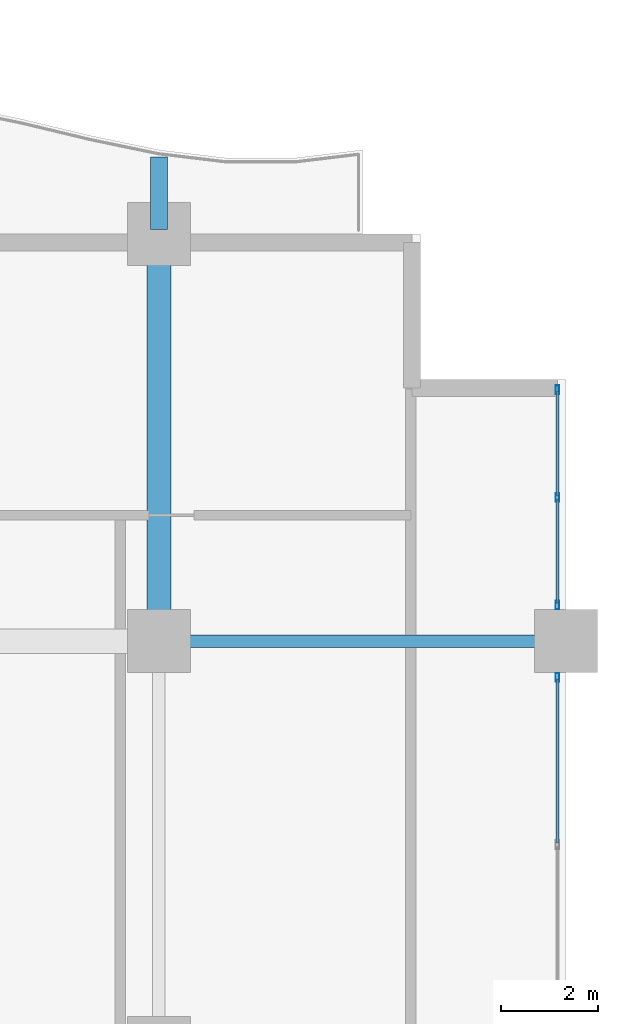
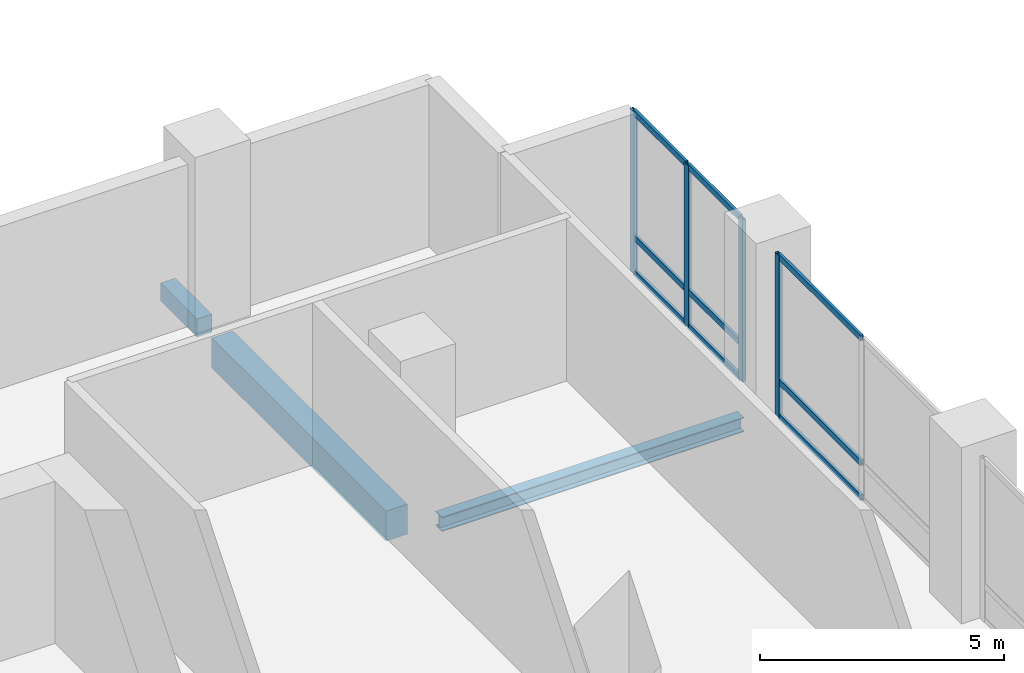
# One storey, part 6 of 24: 13 members, 3 beams, 2 elements without a shape of their own.
"""IFC4 building model written with IfcOpenShell, lengths in metres."""

import ifcopenshell
import ifcopenshell.guid

model = None  # the IFC model being written
_history = None  # IfcOwnerHistory: only IFC2X3 demands one
_inside = {}  # id of a spatial element -> (the spatial element, [elements in it])
_under = {}  # id of a project, library or spatial element -> (it, [spatial elements below it])
_declared = {}  # id of a project -> (the project, [libraries it declares])
_typed = {}  # id of a type object -> (the type object, [elements of that type])
_made_of = {}  # id of a material, layer set ... -> (it, [elements and type objects made of it])


def new_model(schema):
    """Start an empty IFC model of exactly this schema.

    Asked for "IFC4X3", IfcOpenShell would pick the latest addendum, in which some entities
    have other attributes; the version numbers below select the first issue.
    IFC2X3 requires an IfcOwnerHistory on every rooted entity: one is made here for all.
    """
    global model, _history
    if schema == "IFC4X3":
        model = ifcopenshell.file(schema_version=(4, 3, 0, 0))
    else:
        model = ifcopenshell.file(schema=schema)
    _inside.clear()
    _under.clear()
    _declared.clear()
    _typed.clear()
    _made_of.clear()
    _history = None
    if model.schema == "IFC2X3":
        org = make("IfcOrganization", Name="unknown")
        user = make(
            "IfcPersonAndOrganization",
            ThePerson=make("IfcPerson", FamilyName="unknown"),
            TheOrganization=org,
        )
        app = make(
            "IfcApplication",
            ApplicationDeveloper=org,
            Version="unknown",
            ApplicationFullName="unknown",
            ApplicationIdentifier="unknown",
        )
        _history = make(
            "IfcOwnerHistory",
            OwningUser=user,
            OwningApplication=app,
            ChangeAction="ADDED",
            CreationDate=0,
        )
    return model


def make(cls, **values):
    """One entity of the class cls with the attributes given. An attribute that is None is left unset."""
    return model.create_entity(
        cls, **{name: value for name, value in values.items() if value is not None}
    )


def rooted(cls, **values):
    """An entity with a GlobalId (a new one), such as an element, a storey or a relation."""
    return make(cls, GlobalId=ifcopenshell.guid.new(), OwnerHistory=_history, **values)


def si_unit(unit_type, name, prefix=None):
    """IfcSIUnit, for example si_unit("LENGTHUNIT", "METRE", prefix="MILLI")."""
    return make("IfcSIUnit", UnitType=unit_type, Prefix=prefix, Name=name)


def assignment(units):
    """IfcUnitAssignment: the units of a project."""
    return None if units is None else make("IfcUnitAssignment", Units=units)


def point(xyz):
    """IfcCartesianPoint."""
    return None if xyz is None else make("IfcCartesianPoint", Coordinates=xyz)


def direction(xyz):
    """IfcDirection."""
    return None if xyz is None else make("IfcDirection", DirectionRatios=xyz)


def frame(location, z_axis=None, x_axis=None):
    """IfcAxis2Placement3D, a coordinate frame: its origin and axes. An axis left out is left unset."""
    return make(
        "IfcAxis2Placement3D",
        Location=point(location),
        Axis=direction(z_axis),
        RefDirection=direction(x_axis),
    )


def frame_2d(location, x_axis=None):
    """IfcAxis2Placement2D, a coordinate frame in the plane: its origin and x axis."""
    return make(
        "IfcAxis2Placement2D", Location=point(location), RefDirection=direction(x_axis)
    )


def origin():
    """The frame at (0, 0, 0) with its axes left unset."""
    return frame((0.0, 0.0, 0.0))


def origin_2d():
    """The frame at (0, 0) in the plane with its x axis left unset."""
    return frame_2d((0.0, 0.0))


def place(relative_to, where):
    """IfcLocalPlacement: puts the frame where relative to a parent placement (None: the world)."""
    return make(
        "IfcLocalPlacement", PlacementRelTo=relative_to, RelativePlacement=where
    )


def context(
    kind, dimensions, precision=None, world=None, true_north=None, identifier=None
):
    """IfcGeometricRepresentationContext, for example the 3D "Model" context."""
    return make(
        "IfcGeometricRepresentationContext",
        ContextIdentifier=identifier,
        ContextType=kind,
        CoordinateSpaceDimension=dimensions,
        Precision=precision,
        WorldCoordinateSystem=world,
        TrueNorth=true_north,
    )


def subcontext(parent, identifier, kind, view, scale=None):
    """IfcGeometricRepresentationSubContext, for example "Body" below "Model"."""
    return make(
        "IfcGeometricRepresentationSubContext",
        ContextIdentifier=identifier,
        ContextType=kind,
        ParentContext=parent,
        TargetScale=scale,
        TargetView=view,
    )


def project(units=None, contexts=None):
    """IfcProject with its units and contexts."""
    return rooted(
        "IfcProject",
        Name="project",
        RepresentationContexts=contexts,
        UnitsInContext=assignment(units),
    )


def spatial(cls, under=None, at=None, **own):
    """A site, building, storey or space (cls), placed at a placement, below another one or the project."""
    s = rooted(cls, ObjectPlacement=at, **own)
    if under is not None:
        _under.setdefault(under.id(), (under, []))[1].append(s)
    return s


def profile(cls, at=None, kind="AREA", **sizes):
    """A parametric profile (cls). Its sizes go by their IFC names, for example OverallWidth=200.0."""
    return make(cls, ProfileType=kind, Position=at, **sizes)


def rectangle(**sizes):
    """IfcRectangleProfileDef."""
    return profile("IfcRectangleProfileDef", **sizes)


def hollow_rectangle(**sizes):
    """IfcRectangleHollowProfileDef."""
    return profile("IfcRectangleHollowProfileDef", **sizes)


def i_section(**sizes):
    """IfcIShapeProfileDef."""
    return profile("IfcIShapeProfileDef", **sizes)


def extrude(swept, where, along, depth):
    """IfcExtrudedAreaSolid: the profile swept, set in the frame where, extruded along a direction by depth."""
    return make(
        "IfcExtrudedAreaSolid",
        SweptArea=swept,
        Position=where,
        ExtrudedDirection=direction(along),
        Depth=depth,
    )


def shape(context_of_items, identifier, shape_type, items):
    """IfcShapeRepresentation: the items that make up one representation, for example the "Body"."""
    return make(
        "IfcShapeRepresentation",
        ContextOfItems=context_of_items,
        RepresentationIdentifier=identifier,
        RepresentationType=shape_type,
        Items=items,
    )


def material(Name=None, Category=None):
    """IfcMaterial."""
    return make("IfcMaterial", Name=Name, Category=Category)


def layer(
    of_material, thickness, ventilated=None, Name=None, Category=None, Priority=None
):
    """IfcMaterialLayer: one layer of a wall or slab, of a material (None: an air gap)."""
    return make(
        "IfcMaterialLayer",
        Material=of_material,
        LayerThickness=thickness,
        IsVentilated=ventilated,
        Name=Name,
        Category=Category,
        Priority=Priority,
    )


def layer_set(layers, Name=None):
    """IfcMaterialLayerSet."""
    return make("IfcMaterialLayerSet", MaterialLayers=layers, LayerSetName=Name)


def material_profile(
    of_material, cross_section, Name=None, Category=None, Priority=None
):
    """IfcMaterialProfile: a cross section and its material."""
    return make(
        "IfcMaterialProfile",
        Name=Name,
        Material=of_material,
        Profile=cross_section,
        Priority=Priority,
        Category=Category,
    )


def profile_set(profiles, Name=None, composite=None):
    """IfcMaterialProfileSet."""
    return make(
        "IfcMaterialProfileSet",
        Name=Name,
        MaterialProfiles=profiles,
        CompositeProfile=composite,
    )


def made_of(thing, what):
    """Note that an element or type object is made of a material, layer set ...; save() writes the relation."""
    if what is not None:
        _made_of.setdefault(what.id(), (what, []))[1].append(thing)
    return thing


def type_object(cls, material=None, **own):
    """A type object (cls), such as IfcWallType, which elements share."""
    return made_of(rooted(cls, **own), material)


def element(
    cls,
    number,
    at=None,
    inside=None,
    cuts=None,
    type_object=None,
    material=None,
    context=None,
    identifier="Body",
    shape_type=None,
    held_by="IfcProductDefinitionShape",
    body=None,
    shapes=None,
    **own,
):
    """One element of the class cls, such as IfcWall. Its Tag is "e" and its number.

    at: its placement. inside: the storey or other place that contains it. cuts: it is an
    opening in that element (IfcRelVoidsElement). A single representation is given by context,
    identifier, shape_type and body (its items); several are given by shapes. held_by: the class
    of the entity that holds the representations. save() writes the other relations.
    """
    e = rooted(cls, Tag="e%d" % number, ObjectPlacement=at, **own)
    if body is not None:
        shapes = [shape(context, identifier, shape_type, body)]
    if shapes is not None:
        e.Representation = make(held_by, Representations=shapes)
    if inside is not None:
        _inside.setdefault(inside.id(), (inside, []))[1].append(e)
    if cuts is not None:
        rooted(
            "IfcRelVoidsElement", RelatingBuildingElement=cuts, RelatedOpeningElement=e
        )
    if type_object is not None:
        _typed.setdefault(type_object.id(), (type_object, []))[1].append(e)
    return made_of(e, material)


def aggregate(whole, parts):
    """IfcRelAggregates: a whole, such as a stair, and the parts it consists of."""
    return rooted("IfcRelAggregates", RelatingObject=whole, RelatedObjects=parts)


def save(model, path):
    """Write the relations noted so far, then the file.

    IfcRelAggregates (storeys below a building ...), IfcRelContainedInSpatialStructure (elements
    in a storey), IfcRelDefinesByType, IfcRelAssociatesMaterial and IfcRelDeclares: one each for
    every whole, place, type object, material and project.
    """
    for whole, parts in _under.values():
        aggregate(whole, parts)
    for where, things in _inside.values():
        rooted(
            "IfcRelContainedInSpatialStructure",
            RelatedElements=things,
            RelatingStructure=where,
        )
    for kind, things in _typed.values():
        rooted("IfcRelDefinesByType", RelatedObjects=things, RelatingType=kind)
    for what, things in _made_of.values():
        rooted("IfcRelAssociatesMaterial", RelatedObjects=things, RelatingMaterial=what)
    for by, libraries in _declared.values():
        rooted("IfcRelDeclares", RelatingContext=by, RelatedDefinitions=libraries)
    model.write(path)


model = new_model("IFC4")

# Units and contexts
model_context = context("Model", 3, precision=1e-05, world=origin(), true_north=direction((0.0, 1.0)))
body_context = subcontext(model_context, "Body", "Model", "MODEL_VIEW")
ifc_project = project(units=[si_unit("LENGTHUNIT", "METRE"), si_unit("AREAUNIT", "SQUARE_METRE"), si_unit("VOLUMEUNIT", "CUBIC_METRE"), si_unit("PLANEANGLEUNIT", "RADIAN"), si_unit("MASSUNIT", "GRAM", prefix="KILO")], contexts=[model_context])

# Site, building, storey
site_placement = place(None, origin())
site = spatial("IfcSite", under=ifc_project, at=site_placement, CompositionType="ELEMENT")
building_placement = place(site_placement, origin())
building = spatial("IfcBuilding", under=site, at=building_placement, Name="Koriwani Terraces Tower", CompositionType="ELEMENT")
storey_placement = place(building_placement, frame((0.0, 0.0, 89.60009765625)))
storey = spatial("IfcBuildingStorey", under=building, at=storey_placement, Name="L21", CompositionType="ELEMENT", Elevation=89.60009765625)

# Beams
ifc_material_1 = material(Name="Concrete C40/50", Category="concrete")
ifc_material_profile_1 = material_profile(ifc_material_1, rectangle(XDim=0.35009765625, YDim=0.449951171875, at=origin_2d()), Name="Concrete C40/50", Category="LoadBearing")
ifc_profile_set_1 = profile_set([ifc_material_profile_1], Name="Concrete C40/50")
beam_type_1 = type_object("IfcBeamType", Name="BEAM_RC_BALCONY_RIB_350X450", PredefinedType="JOIST", material=ifc_profile_set_1)
beam_1_placement = place(storey_placement, frame((67.199951171875, 33.699951171875, -0.47509765625), z_axis=(0.0, 1.0, 0.0), x_axis=(-1.0, 0.0, 0.0)))
element("IfcBeam", 1, at=beam_1_placement, inside=storey, type_object=beam_type_1, Name="L21 Balcony Bracket Rib NE-4", PredefinedType="JOIST", context=body_context, shape_type="SweptSolid", body=[
    extrude(rectangle(XDim=0.35009765625, YDim=0.449951171875, at=origin_2d()), origin(), (0.0, 0.0, 1.0), 1.490478515625),
])
ifc_material_2 = material(Name="Concrete C50/60", Category="concrete")
ifc_material_profile_2 = material_profile(ifc_material_2, rectangle(XDim=0.5, YDim=0.75, at=origin_2d()), Name="Concrete C50/60", Category="LoadBearing")
ifc_profile_set_2 = profile_set([ifc_material_profile_2], Name="Concrete C50/60")
beam_type_2 = type_object("IfcBeamType", Name="BEAM_RC_GRID_500X750", PredefinedType="BEAM", material=ifc_profile_set_2)
beam_2_placement = place(storey_placement, frame((67.199951171875, 25.830078125, -0.625), z_axis=(0.0, 1.0, 0.0), x_axis=(-1.0, 0.0, 0.0)))
element("IfcBeam", 2, at=beam_2_placement, inside=storey, type_object=beam_type_2, Name="L21 Grid Beam 9 (25.2-33.6m)", PredefinedType="BEAM", context=body_context, shape_type="SweptSolid", body=[
    extrude(rectangle(XDim=0.5, YDim=0.75, at=origin_2d()), origin(), (0.0, 0.0, 1.0), 7.139892578125),
])

# Curtain wall, members
ifc_material_3 = material(Name="Anodised Bronze Aluminium", Category="aluminium")
ifc_layer = layer(ifc_material_3, 0.179931640625, Name="Anodised Bronze Aluminium")
ifc_layer_set = layer_set([ifc_layer], Name="Anodised Bronze Aluminium")
curtain_wall_type = type_object("IfcCurtainWallType", Name="CW_HOTEL_ZONE2", PredefinedType="NOTDEFINED", material=ifc_layer_set)
curtain_wall_1_placement = place(storey_placement, origin())
curtain_wall_1 = element("IfcCurtainWall", 3, at=curtain_wall_1_placement, inside=storey, type_object=curtain_wall_type, Name="L21 Unitised Curtain Wall (E_TIP) Bay 1", PredefinedType="NOTDEFINED")
ifc_material_profile_3 = material_profile(ifc_material_3, hollow_rectangle(XDim=0.074951171875, YDim=0.179931640625, WallThickness=0.006103515625, at=origin_2d()), Name="Anodised Bronze Aluminium", Category="LoadBearing")
ifc_profile_set_3 = profile_set([ifc_material_profile_3], Name="Anodised Bronze Aluminium")
member_type_1 = type_object("IfcMemberType", Name="CW_MULLION_180X75", PredefinedType="MULLION", material=ifc_profile_set_3)
member_1_placement = place(storey_placement, frame((75.425048828125, 30.387451171875, 0.0), z_axis=(0.0, 0.0, 1.0), x_axis=(1.0, 0.0, 0.0)))
member_1 = element("IfcMember", 4, at=member_1_placement, type_object=member_type_1, Name="CW-Z2 mullion 1", PredefinedType="MULLION", context=body_context, shape_type="SweptSolid", body=[
    extrude(hollow_rectangle(XDim=0.074951171875, YDim=0.179931640625, WallThickness=0.006103515625, at=origin_2d()), origin(), (0.0, 0.0, 1.0), 4.0498046875),
])
member_2_placement = place(storey_placement, frame((75.425048828125, 28.16748046875, 0.0), z_axis=(0.0, 0.0, 1.0), x_axis=(1.0, 0.0, 0.0)))
member_2 = element("IfcMember", 5, at=member_2_placement, type_object=member_type_1, Name="CW-Z2 mullion 2", PredefinedType="MULLION", context=body_context, shape_type="SweptSolid", body=[
    extrude(hollow_rectangle(XDim=0.074951171875, YDim=0.179931640625, WallThickness=0.006103515625, at=origin_2d()), origin(), (0.0, 0.0, 1.0), 4.0498046875),
])
member_3_placement = place(storey_placement, frame((75.425048828125, 25.947509765625, 0.0), z_axis=(0.0, 0.0, 1.0), x_axis=(1.0, 0.0, 0.0)))
member_3 = element("IfcMember", 6, at=member_3_placement, type_object=member_type_1, Name="CW-Z2 mullion 3", PredefinedType="MULLION", context=body_context, shape_type="SweptSolid", body=[
    extrude(hollow_rectangle(XDim=0.074951171875, YDim=0.179931640625, WallThickness=0.006103515625, at=origin_2d()), origin(), (0.0, 0.0, 1.0), 4.0498046875),
])

# Curtain wall, member
curtain_wall_2_placement = place(storey_placement, origin())
curtain_wall_2 = element("IfcCurtainWall", 7, at=curtain_wall_2_placement, inside=storey, type_object=curtain_wall_type, Name="L21 Unitised Curtain Wall (E_TIP) Bay 2", PredefinedType="NOTDEFINED")
member_4_placement = place(storey_placement, frame((75.425048828125, 24.452392578125, 0.0), z_axis=(0.0, 0.0, 1.0), x_axis=(1.0, 0.0, 0.0)))
member_4 = element("IfcMember", 8, at=member_4_placement, type_object=member_type_1, Name="CW-Z2 mullion 1", PredefinedType="MULLION", context=body_context, shape_type="SweptSolid", body=[
    extrude(hollow_rectangle(XDim=0.074951171875, YDim=0.179931640625, WallThickness=0.006103515625, at=origin_2d()), origin(), (0.0, 0.0, 1.0), 4.0498046875),
])

# Member
ifc_material_profile_4 = material_profile(ifc_material_3, hollow_rectangle(XDim=0.06494140625, YDim=0.14990234375, WallThickness=0.0048828125, at=origin_2d()), Name="Anodised Bronze Aluminium", Category="LoadBearing")
ifc_profile_set_4 = profile_set([ifc_material_profile_4], Name="Anodised Bronze Aluminium")
member_type_2 = type_object("IfcMemberType", Name="CW_TRANSOM_150X65", PredefinedType="USERDEFINED", material=ifc_profile_set_4)
member_5_placement = place(storey_placement, frame((75.425048828125, 30.35009765625, 0.032470703125), z_axis=(0.0, -1.0, 0.0), x_axis=(1.0, 0.0, 0.0)))
member_5 = element("IfcMember", 9, at=member_5_placement, type_object=member_type_2, Name="CW-Z2 transom 1.1", ObjectType="TRANSOM", PredefinedType="USERDEFINED", context=body_context, shape_type="SweptSolid", body=[
    extrude(hollow_rectangle(XDim=0.06494140625, YDim=0.14990234375, WallThickness=0.0048828125, at=origin_2d()), origin(), (0.0, 0.0, 1.0), 2.14501953125),
])

member_6_placement = place(storey_placement, frame((75.425048828125, 30.35009765625, 0.89990234375), z_axis=(0.0, -1.0, 0.0), x_axis=(1.0, 0.0, 0.0)))
member_6 = element("IfcMember", 10, at=member_6_placement, type_object=member_type_2, Name="CW-Z2 transom 1.2", ObjectType="TRANSOM", PredefinedType="USERDEFINED", context=body_context, shape_type="SweptSolid", body=[
    extrude(hollow_rectangle(XDim=0.06494140625, YDim=0.14990234375, WallThickness=0.0048828125, at=origin_2d()), origin(), (0.0, 0.0, 1.0), 2.14501953125),
])

member_7_placement = place(storey_placement, frame((75.425048828125, 30.35009765625, 4.017333984375), z_axis=(0.0, -1.0, 0.0), x_axis=(1.0, 0.0, 0.0)))
member_7 = element("IfcMember", 11, at=member_7_placement, type_object=member_type_2, Name="CW-Z2 transom 1.3", ObjectType="TRANSOM", PredefinedType="USERDEFINED", context=body_context, shape_type="SweptSolid", body=[
    extrude(hollow_rectangle(XDim=0.06494140625, YDim=0.14990234375, WallThickness=0.0048828125, at=origin_2d()), origin(), (0.0, 0.0, 1.0), 2.14501953125),
])

member_8_placement = place(storey_placement, frame((75.425048828125, 28.1298828125, 0.032470703125), z_axis=(0.0, -1.0, 0.0), x_axis=(1.0, 0.0, 0.0)))
member_8 = element("IfcMember", 12, at=member_8_placement, type_object=member_type_2, Name="CW-Z2 transom 2.1", ObjectType="TRANSOM", PredefinedType="USERDEFINED", context=body_context, shape_type="SweptSolid", body=[
    extrude(hollow_rectangle(XDim=0.06494140625, YDim=0.14990234375, WallThickness=0.0048828125, at=origin_2d()), origin(), (0.0, 0.0, 1.0), 2.144775390625),
])

member_9_placement = place(storey_placement, frame((75.425048828125, 28.1298828125, 0.89990234375), z_axis=(0.0, -1.0, 0.0), x_axis=(1.0, 0.0, 0.0)))
member_9 = element("IfcMember", 13, at=member_9_placement, type_object=member_type_2, Name="CW-Z2 transom 2.2", ObjectType="TRANSOM", PredefinedType="USERDEFINED", context=body_context, shape_type="SweptSolid", body=[
    extrude(hollow_rectangle(XDim=0.06494140625, YDim=0.14990234375, WallThickness=0.0048828125, at=origin_2d()), origin(), (0.0, 0.0, 1.0), 2.144775390625),
])

member_10_placement = place(storey_placement, frame((75.425048828125, 28.1298828125, 4.017333984375), z_axis=(0.0, -1.0, 0.0), x_axis=(1.0, 0.0, 0.0)))
member_10 = element("IfcMember", 14, at=member_10_placement, type_object=member_type_2, Name="CW-Z2 transom 2.3", ObjectType="TRANSOM", PredefinedType="USERDEFINED", context=body_context, shape_type="SweptSolid", body=[
    extrude(hollow_rectangle(XDim=0.06494140625, YDim=0.14990234375, WallThickness=0.0048828125, at=origin_2d()), origin(), (0.0, 0.0, 1.0), 2.144775390625),
])

aggregate(curtain_wall_1, [member_1, member_2, member_3, member_5, member_6, member_7, member_8, member_9, member_10])

member_11_placement = place(storey_placement, frame((75.425048828125, 24.4150390625, 0.032470703125), z_axis=(0.0, -1.0, 0.0), x_axis=(1.0, 0.0, 0.0)))
member_11 = element("IfcMember", 15, at=member_11_placement, type_object=member_type_2, Name="CW-Z2 transom 1.1", ObjectType="TRANSOM", PredefinedType="USERDEFINED", context=body_context, shape_type="SweptSolid", body=[
    extrude(hollow_rectangle(XDim=0.06494140625, YDim=0.14990234375, WallThickness=0.0048828125, at=origin_2d()), origin(), (0.0, 0.0, 1.0), 3.37744140625),
])

member_12_placement = place(storey_placement, frame((75.425048828125, 24.4150390625, 0.89990234375), z_axis=(0.0, -1.0, 0.0), x_axis=(1.0, 0.0, 0.0)))
member_12 = element("IfcMember", 16, at=member_12_placement, type_object=member_type_2, Name="CW-Z2 transom 1.2", ObjectType="TRANSOM", PredefinedType="USERDEFINED", context=body_context, shape_type="SweptSolid", body=[
    extrude(hollow_rectangle(XDim=0.06494140625, YDim=0.14990234375, WallThickness=0.0048828125, at=origin_2d()), origin(), (0.0, 0.0, 1.0), 3.37744140625),
])

member_13_placement = place(storey_placement, frame((75.425048828125, 24.4150390625, 4.017333984375), z_axis=(0.0, -1.0, 0.0), x_axis=(1.0, 0.0, 0.0)))
member_13 = element("IfcMember", 17, at=member_13_placement, type_object=member_type_2, Name="CW-Z2 transom 1.3", ObjectType="TRANSOM", PredefinedType="USERDEFINED", context=body_context, shape_type="SweptSolid", body=[
    extrude(hollow_rectangle(XDim=0.06494140625, YDim=0.14990234375, WallThickness=0.0048828125, at=origin_2d()), origin(), (0.0, 0.0, 1.0), 3.37744140625),
])

aggregate(curtain_wall_2, [member_4, member_11, member_12, member_13])

# Beam
ifc_material_4 = material(Name="Steel ASTM A572 Grade 50", Category="steel")
ifc_material_profile_5 = material_profile(ifc_material_4, i_section(OverallWidth=0.257080078125, OverallDepth=0.363037109375, WebThickness=0.012939453125, FlangeThickness=0.021728515625, at=origin_2d()), Name="Steel ASTM A572 Grade 50", Category="LoadBearing")
ifc_profile_set_5 = profile_set([ifc_material_profile_5], Name="Steel ASTM A572 Grade 50")
beam_type_3 = type_object("IfcBeamType", Name="STEEL_BEAM_W360X122", PredefinedType="JOIST", material=ifc_profile_set_5)
beam_3_placement = place(storey_placement, frame((67.830078125, 25.199951171875, -0.431640625), z_axis=(1.0, 0.0, 0.0), x_axis=(0.0, 1.0, 0.0)))
element("IfcBeam", 18, at=beam_3_placement, inside=storey, type_object=beam_type_3, Name="L21 Grid Beam D (67.2-75.6m)", PredefinedType="JOIST", context=body_context, shape_type="SweptSolid", body=[
    extrude(i_section(OverallWidth=0.257080078125, OverallDepth=0.363037109375, WebThickness=0.012939453125, FlangeThickness=0.021728515625, at=origin_2d()), origin(), (0.0, 0.0, 1.0), 7.139892578125),
])

save(model, "model.ifc")
